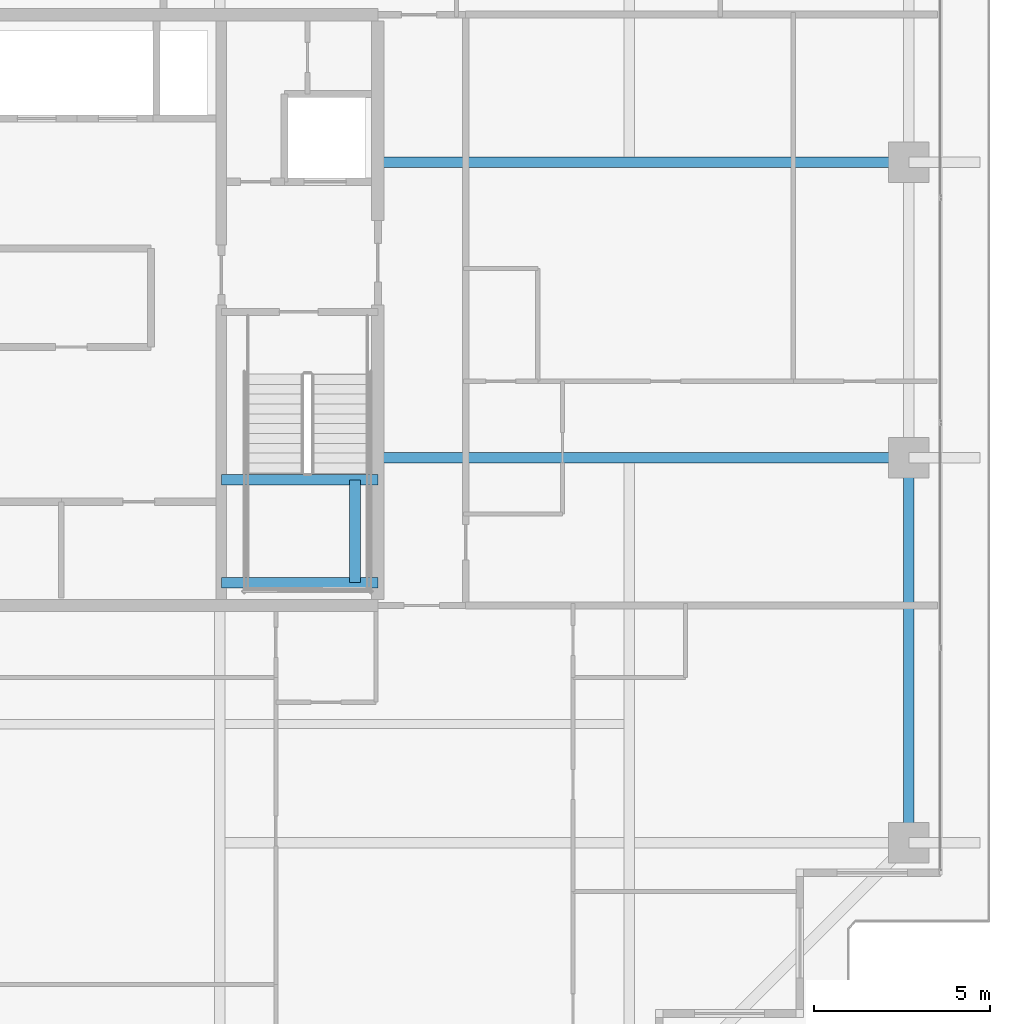
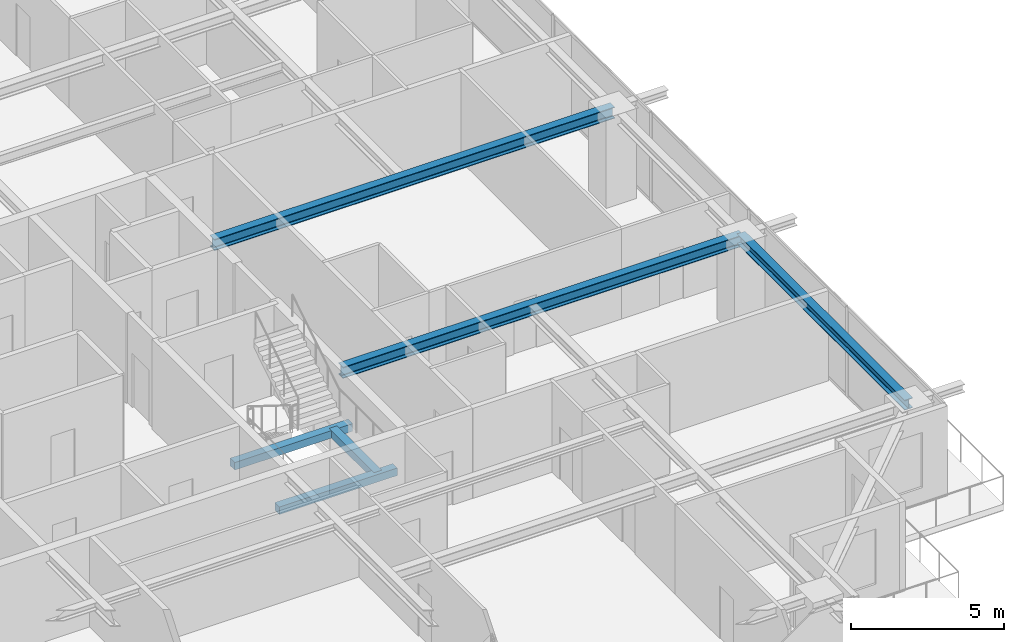
# One storey, part 14 of 37: 6 beams.
"""IFC4 building model written with IfcOpenShell, lengths in metres."""

from ifc_helpers import new_model, si_unit, direction, frame, origin, origin_2d, place, context, subcontext, project, spatial, rectangle, i_section, extrude, source, transform, mapped, material, material_profile, profile_set, type_object, element, save


model = new_model("IFC4")

# Units and contexts
model_context = context("Model", 3, precision=1e-05, world=origin(), true_north=direction((0.0, 1.0)))
body_context = subcontext(model_context, "Body", "Model", "MODEL_VIEW")
ifc_project = project(units=[si_unit("LENGTHUNIT", "METRE"), si_unit("AREAUNIT", "SQUARE_METRE"), si_unit("VOLUMEUNIT", "CUBIC_METRE"), si_unit("PLANEANGLEUNIT", "RADIAN"), si_unit("MASSUNIT", "GRAM", prefix="KILO")], contexts=[model_context])

# Site, building, storey
site_placement = place(None, origin())
site = spatial("IfcSite", under=ifc_project, at=site_placement, CompositionType="ELEMENT")
building_placement = place(site_placement, origin())
building = spatial("IfcBuilding", under=site, at=building_placement, Name="Serunith Strait Residences", CompositionType="ELEMENT")
storey_placement = place(building_placement, frame((0.0, 0.0, 218.14990234375)))
storey = spatial("IfcBuildingStorey", under=building, at=storey_placement, Name="L54", CompositionType="ELEMENT", Elevation=218.14990234375)

# Beams
ifc_material_1 = material(Name="Steel S355J2", Category="steel")
ifc_material_profile_1 = material_profile(ifc_material_1, i_section(OverallWidth=0.300048828125, OverallDepth=0.449951171875, WebThickness=0.013916015625, FlangeThickness=0.02587890625, FilletRadius=0.027099609375, at=origin_2d()), Name="HEB 450")
ifc_profile_set_1 = profile_set([ifc_material_profile_1], Name="Steel S355J2")
beam_type_1 = type_object("IfcBeamType", Name="BM-HEB450", PredefinedType="BEAM", material=ifc_profile_set_1)
shared_shape_1 = source(origin(), body_context, "Body", "SweptSolid", [
    extrude(i_section(OverallWidth=0.300048828125, OverallDepth=0.449951171875, WebThickness=0.013916015625, FlangeThickness=0.02587890625, FilletRadius=0.027099609375, at=origin_2d()), origin(), (0.0, 0.0, 1.0), 15.10009765625),
])
for number, where, z_axis, x_axis, name in (
    (1, (41.39990234375, 21.0, 3.362060546875), (1.0, 0.0, 0.0), (0.0, 1.0, 0.0), "L54 Primary Floor Girder TC-E2"),
    (2, (41.39990234375, 29.39990234375, 3.362060546875), (1.0, 0.0, 0.0), (0.0, 1.0, 0.0), "L54 Primary Floor Girder TC-E3"),
):
    element("IfcBeam", number, at=place(storey_placement, frame(where, z_axis=z_axis, x_axis=x_axis)), inside=storey, type_object=beam_type_1, Name=name, PredefinedType="BEAM", context=body_context, shape_type="MappedRepresentation", body=[
        mapped(shared_shape_1, transform((0.0, 0.0, 0.0), scale=1.0)),
    ])
ifc_material_profile_2 = material_profile(ifc_material_1, i_section(OverallWidth=0.300048828125, OverallDepth=0.39990234375, WebThickness=0.013427734375, FlangeThickness=0.02392578125, FilletRadius=0.027099609375, at=origin_2d()), Name="HEB 400")
ifc_profile_set_2 = profile_set([ifc_material_profile_2], Name="Steel S355J2")
beam_type_2 = type_object("IfcBeamType", Name="BM-HEB400", PredefinedType="BEAM", material=ifc_profile_set_2)
shared_shape_2 = source(origin(), body_context, "Body", "SweptSolid", [
    extrude(i_section(OverallWidth=0.300048828125, OverallDepth=0.39990234375, WebThickness=0.013427734375, FlangeThickness=0.02392578125, FilletRadius=0.027099609375, at=origin_2d()), origin(), (0.0, 0.0, 1.0), 10.949951171875),
])
beam_1_placement = place(storey_placement, frame((56.5, 10.050048828125, 3.38720703125), z_axis=(0.0, 1.0, 0.0), x_axis=(-1.0, 0.0, 0.0)))
element("IfcBeam", 3, at=beam_1_placement, inside=storey, type_object=beam_type_2, Name="L54 Perimeter Ring Beam 05", PredefinedType="BEAM", context=body_context, shape_type="MappedRepresentation", body=[
    mapped(shared_shape_2, transform((0.0, 0.0, 0.0), scale=1.0)),
])
ifc_material_2 = material(Name="Concrete C60/75", Category="concrete")
ifc_material_profile_3 = material_profile(ifc_material_2, rectangle(XDim=0.300048828125, YDim=0.300048828125, at=origin_2d()), Name="RC 300x300")
ifc_profile_set_3 = profile_set([ifc_material_profile_3], Name="Concrete C60/75")
beam_type_3 = type_object("IfcBeamType", Name="BM-LAND-300x300", PredefinedType="BEAM", material=ifc_profile_set_3)
shared_shape_3 = source(origin(), body_context, "Body", "SweptSolid", [
    extrude(rectangle(XDim=0.300048828125, YDim=0.300048828125, at=origin_2d()), origin(), (0.0, 0.0, 1.0), 4.449951171875),
])
for number, where, z_axis, x_axis, name in (
    (4, (36.949951171875, 17.449951171875, 1.5751953125), (1.0, 0.0, 0.0), (0.0, 1.0, 0.0), "L54 ST-2 Landing Support Beam 1"),
    (5, (36.949951171875, 20.3701171875, 1.5751953125), (1.0, 0.0, 0.0), (0.0, 1.0, 0.0), "L54 ST-2 Landing Support Beam 2"),
):
    element("IfcBeam", number, at=place(storey_placement, frame(where, z_axis=z_axis, x_axis=x_axis)), inside=storey, type_object=beam_type_3, Name=name, PredefinedType="BEAM", context=body_context, shape_type="MappedRepresentation", body=[
        mapped(shared_shape_3, transform((0.0, 0.0, 0.0), scale=1.0)),
    ])
shared_shape_4 = source(origin(), body_context, "Body", "SweptSolid", [
    extrude(rectangle(XDim=0.300048828125, YDim=0.300048828125, at=origin_2d()), origin(), (0.0, 0.0, 1.0), 2.920166015625),
])
beam_2_placement = place(storey_placement, frame((40.75, 17.449951171875, 1.5751953125), z_axis=(0.0, 1.0, 0.0), x_axis=(-1.0, 0.0, 0.0)))
element("IfcBeam", 6, at=beam_2_placement, inside=storey, type_object=beam_type_3, Name="L54 ST-2 Landing Transverse Tie Beam", PredefinedType="BEAM", context=body_context, shape_type="MappedRepresentation", body=[
    mapped(shared_shape_4, transform((0.0, 0.0, 0.0), scale=1.0)),
])

save(model, "model.ifc")
